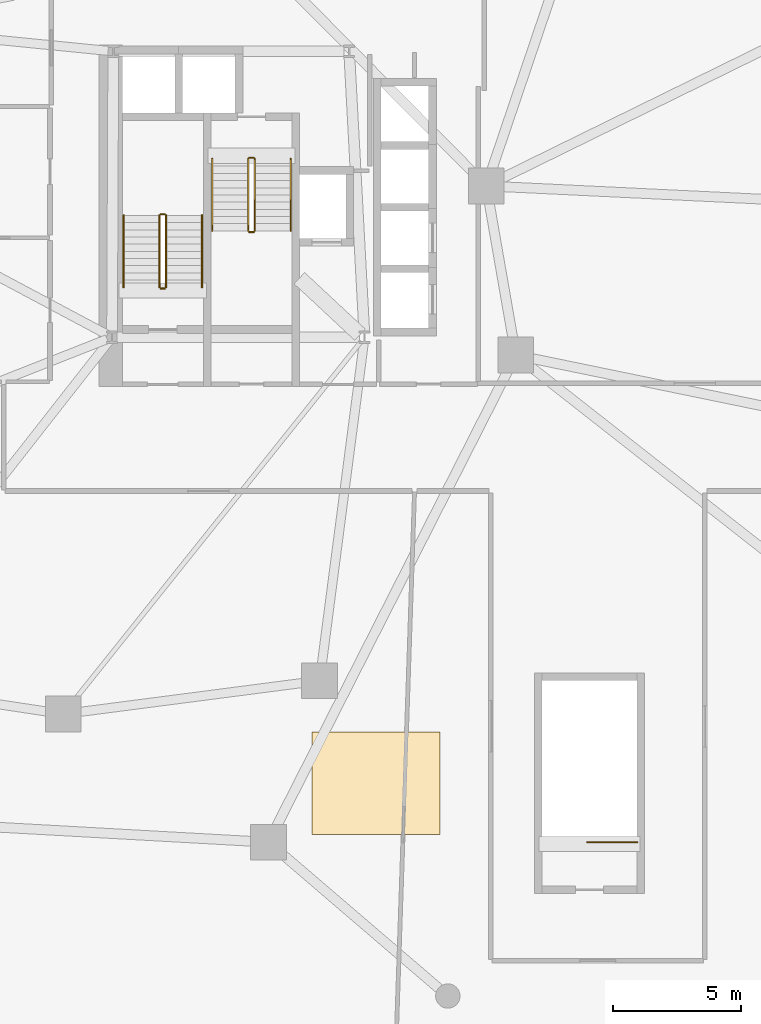
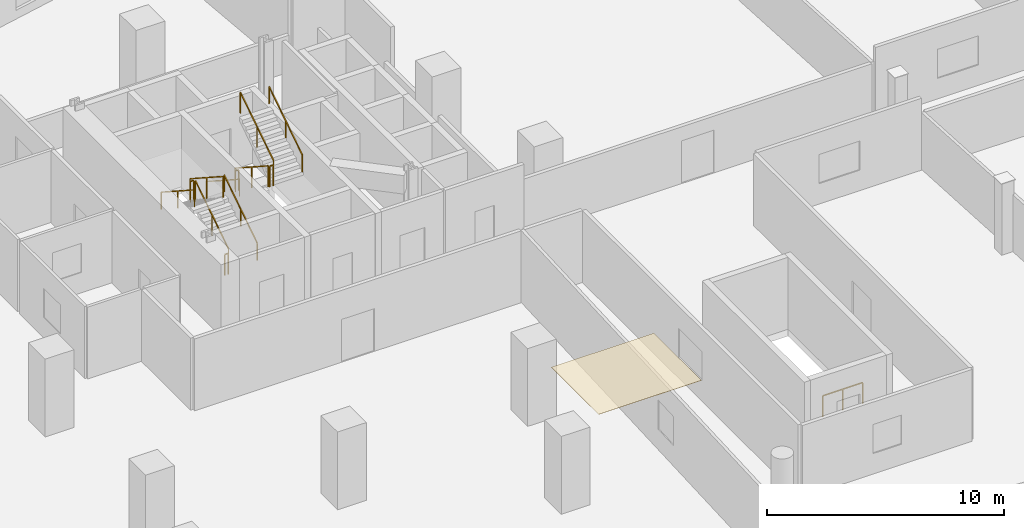
# One storey, part 17 of 18: 13 railings, 1 covering.
"""IFC4 building model written with IfcOpenShell, lengths in metres."""

from ifc_helpers import new_model, si_unit, direction, frame, origin, origin_2d, place, context, subcontext, project, spatial, polyline, rectangle, outline, extrude, material, layer, layer_set, type_object, element, save


model = new_model("IFC4")

# Units and contexts
model_context = context("Model", 3, precision=1e-05, world=origin(), true_north=direction((0.0, 1.0)))
body_context = subcontext(model_context, "Body", "Model", "MODEL_VIEW")
ifc_project = project(units=[si_unit("LENGTHUNIT", "METRE"), si_unit("AREAUNIT", "SQUARE_METRE"), si_unit("VOLUMEUNIT", "CUBIC_METRE"), si_unit("PLANEANGLEUNIT", "RADIAN"), si_unit("MASSUNIT", "GRAM", prefix="KILO"), si_unit("THERMODYNAMICTEMPERATUREUNIT", "KELVIN"), si_unit("POWERUNIT", "WATT")], contexts=[model_context])

# Site, building, storey
site_placement = place(None, origin())
site = spatial("IfcSite", under=ifc_project, at=site_placement, CompositionType="ELEMENT")
building_placement = place(site_placement, origin())
building = spatial("IfcBuilding", under=site, at=building_placement, Name="Cundina Bronze Exchange", CompositionType="ELEMENT")
storey_placement = place(building_placement, frame((0.0, 0.0, 20.0)))
storey = spatial("IfcBuildingStorey", under=building, at=storey_placement, Name="L04", CompositionType="ELEMENT", Elevation=20.0)

# Covering
ifc_material_1 = material(Name="Mineral Acoustic Ceiling Tile 18mm")
ifc_layer = layer(ifc_material_1, 0.01806640625, Name="Mineral Acoustic Ceiling Tile 18mm")
ifc_layer_set = layer_set([ifc_layer], Name="Mineral Acoustic Ceiling Tile 18mm")
covering_type = type_object("IfcCoveringType", Name="COV-CLG-AC18", PredefinedType="CEILING", material=ifc_layer_set)
covering_placement = place(storey_placement, frame((0.0, 0.0, 3.681884765625)))
element("IfcCovering", 1, at=covering_placement, inside=storey, type_object=covering_type, Name="L04 Suspended Mineral Acoustic Ceiling", PredefinedType="CEILING", context=body_context, shape_type="SweptSolid", body=[
    extrude(outline(polyline([(-23.5, -15.5), (-18.5, -15.5), (-18.5, -11.5), (-23.5, -11.5), (-23.5, -15.5)])), origin(), (0.0, 0.0, 1.0), 0.01806640625),
])

# Railings
ifc_material_2 = material(Name="Steel ASTM A36 Painted", Category="steel")
railing_type_1 = type_object("IfcRailingType", Name="RLG-HND-900", PredefinedType="HANDRAIL", material=ifc_material_2)
railing_1_placement = place(storey_placement, frame((-27.7900390625, 5.85009765625, 0.181884765625)))
element("IfcRailing", 2, at=railing_1_placement, inside=storey, type_object=railing_type_1, Name="L04 ST-W1 stair handrail 1", PredefinedType="HANDRAIL", context=body_context, shape_type="SweptSolid", body=[
    extrude(rectangle(XDim=0.048095703125, YDim=0.048095703125, at=origin_2d()), frame((0.0, 0.0, 0.8759765625), z_axis=(0.0, 0.83868413941, 0.544618136222), x_axis=(-1.0, 0.0, 0.0)), (0.0, 0.0, 1.0), 3.33837890625),
    extrude(rectangle(XDim=0.0419921875, YDim=0.0419921875, at=origin_2d()), origin(), (0.0, 0.0, 1.0), 0.851806640625),
    extrude(rectangle(XDim=0.0419921875, YDim=0.0419921875, at=origin_2d()), frame((0.0, 1.39990234375, 0.9091796875)), (0.0, 0.0, 1.0), 0.851806640625),
    extrude(rectangle(XDim=0.0419921875, YDim=0.0419921875, at=origin_2d()), frame((0.0, 2.7998046875, 1.818115234375)), (0.0, 0.0, 1.0), 0.851806640625),
])
railing_2_placement = place(storey_placement, frame((-30.85009765625, 8.64990234375, 2.181884765625)))
element("IfcRailing", 3, at=railing_2_placement, inside=storey, type_object=railing_type_1, Name="L04 ST-W1 stair handrail 2", PredefinedType="HANDRAIL", context=body_context, shape_type="SweptSolid", body=[
    extrude(rectangle(XDim=0.048095703125, YDim=0.048095703125, at=origin_2d()), frame((0.0, 0.0, 0.8759765625), z_axis=(0.0, -0.83868413941, 0.544618136222), x_axis=(1.0, 0.0, 0.0)), (0.0, 0.0, 1.0), 3.33837890625),
    extrude(rectangle(XDim=0.0419921875, YDim=0.0419921875, at=origin_2d()), origin(), (0.0, 0.0, 1.0), 0.851806640625),
    extrude(rectangle(XDim=0.0419921875, YDim=0.0419921875, at=origin_2d()), frame((0.0, -1.39990234375, 0.9091796875)), (0.0, 0.0, 1.0), 0.851806640625),
    extrude(rectangle(XDim=0.0419921875, YDim=0.0419921875, at=origin_2d()), frame((0.0, -2.7998046875, 1.818115234375)), (0.0, 0.0, 1.0), 0.851806640625),
])
railing_3_placement = place(storey_placement, frame((-27.389892578125, 10.85009765625, 0.181884765625)))
element("IfcRailing", 4, at=railing_3_placement, inside=storey, type_object=railing_type_1, Name="L04 ST-W2 stair handrail 1", PredefinedType="HANDRAIL", context=body_context, shape_type="SweptSolid", body=[
    extrude(rectangle(XDim=0.048095703125, YDim=0.048095703125, at=origin_2d()), frame((0.0, 0.0, 0.8759765625), z_axis=(0.0, -0.838705829183, 0.544584733623), x_axis=(1.0, 0.0, 0.0)), (0.0, 0.0, 1.0), 3.338623046875),
    extrude(rectangle(XDim=0.0419921875, YDim=0.0419921875, at=origin_2d()), origin(), (0.0, 0.0, 1.0), 0.851806640625),
    extrude(rectangle(XDim=0.0419921875, YDim=0.0419921875, at=origin_2d()), frame((0.0, -1.39990234375, 0.9091796875)), (0.0, 0.0, 1.0), 0.851806640625),
    extrude(rectangle(XDim=0.0419921875, YDim=0.0419921875, at=origin_2d()), frame((0.0, -2.800048828125, 1.818115234375)), (0.0, 0.0, 1.0), 0.851806640625),
])
railing_4_placement = place(storey_placement, frame((-24.330078125, 8.050048828125, 2.181884765625)))
element("IfcRailing", 5, at=railing_4_placement, inside=storey, type_object=railing_type_1, Name="L04 ST-W2 stair handrail 2", PredefinedType="HANDRAIL", context=body_context, shape_type="SweptSolid", body=[
    extrude(rectangle(XDim=0.048095703125, YDim=0.048095703125, at=origin_2d()), frame((0.0, 0.0, 0.8759765625), z_axis=(0.0, 0.838705829183, 0.544584733623), x_axis=(-1.0, 0.0, 0.0)), (0.0, 0.0, 1.0), 3.338623046875),
    extrude(rectangle(XDim=0.0419921875, YDim=0.0419921875, at=origin_2d()), origin(), (0.0, 0.0, 1.0), 0.851806640625),
    extrude(rectangle(XDim=0.0419921875, YDim=0.0419921875, at=origin_2d()), frame((0.0, 1.39990234375, 0.9091796875)), (0.0, 0.0, 1.0), 0.851806640625),
    extrude(rectangle(XDim=0.0419921875, YDim=0.0419921875, at=origin_2d()), frame((0.0, 2.800048828125, 1.818115234375)), (0.0, 0.0, 1.0), 0.851806640625),
])
railing_type_2 = type_object("IfcRailingType", Name="RLG-STG-1100", PredefinedType="GUARDRAIL", material=ifc_material_2)
railing_5_placement = place(storey_placement, frame((-29.18994140625, 5.85009765625, 0.181884765625)))
element("IfcRailing", 6, at=railing_5_placement, inside=storey, type_object=railing_type_2, Name="L04 ST-W1 stair guard 1", PredefinedType="GUARDRAIL", context=body_context, shape_type="SweptSolid", body=[
    extrude(rectangle(XDim=0.048095703125, YDim=0.048095703125, at=origin_2d()), frame((0.0, 0.0, 1.076171875), z_axis=(0.0, 0.83868413941, 0.544618136222), x_axis=(-1.0, 0.0, 0.0)), (0.0, 0.0, 1.0), 3.33837890625),
    extrude(rectangle(XDim=0.0419921875, YDim=0.0419921875, at=origin_2d()), origin(), (0.0, 0.0, 1.0), 1.052001953125),
    extrude(rectangle(XDim=0.0419921875, YDim=0.0419921875, at=origin_2d()), frame((0.0, 1.39990234375, 0.9091796875)), (0.0, 0.0, 1.0), 1.052001953125),
    extrude(rectangle(XDim=0.0419921875, YDim=0.0419921875, at=origin_2d()), frame((0.0, 2.7998046875, 1.818115234375)), (0.0, 0.0, 1.0), 1.052001953125),
])
railing_6_placement = place(storey_placement, frame((-29.239990234375, 8.699951171875, 2.0)))
element("IfcRailing", 7, at=railing_6_placement, inside=storey, type_object=railing_type_2, Name="L04 ST-W1 stair guard 2", PredefinedType="GUARDRAIL", context=body_context, shape_type="SweptSolid", body=[
    extrude(rectangle(XDim=0.048095703125, YDim=0.048095703125, at=origin_2d()), frame((0.0, 0.0, 1.076171875), z_axis=(-1.0, 0.0, 0.0), x_axis=(0.0, -1.0, 0.0)), (0.0, 0.0, 1.0), 0.159912109375),
    extrude(rectangle(XDim=0.0419921875, YDim=0.0419921875, at=origin_2d()), origin(), (0.0, 0.0, 1.0), 1.052001953125),
    extrude(rectangle(XDim=0.0419921875, YDim=0.0419921875, at=origin_2d()), frame((-0.159912109375, 0.0, 0.0)), (0.0, 0.0, 1.0), 1.052001953125),
])
railing_7_placement = place(storey_placement, frame((-29.449951171875, 8.64990234375, 2.181884765625)))
element("IfcRailing", 8, at=railing_7_placement, inside=storey, type_object=railing_type_2, Name="L04 ST-W1 stair guard 3", PredefinedType="GUARDRAIL", context=body_context, shape_type="SweptSolid", body=[
    extrude(rectangle(XDim=0.048095703125, YDim=0.048095703125, at=origin_2d()), frame((0.0, 0.0, 1.076171875), z_axis=(0.0, -0.83868413941, 0.544618136222), x_axis=(1.0, 0.0, 0.0)), (0.0, 0.0, 1.0), 3.33837890625),
    extrude(rectangle(XDim=0.0419921875, YDim=0.0419921875, at=origin_2d()), origin(), (0.0, 0.0, 1.0), 1.052001953125),
    extrude(rectangle(XDim=0.0419921875, YDim=0.0419921875, at=origin_2d()), frame((0.0, -1.39990234375, 0.9091796875)), (0.0, 0.0, 1.0), 1.052001953125),
    extrude(rectangle(XDim=0.0419921875, YDim=0.0419921875, at=origin_2d()), frame((0.0, -2.7998046875, 1.818115234375)), (0.0, 0.0, 1.0), 1.052001953125),
])
railing_8_placement = place(storey_placement, frame((-29.239990234375, 5.800048828125, 0.0)))
element("IfcRailing", 9, at=railing_8_placement, inside=storey, type_object=railing_type_2, Name="L04 ST-W1 stair guard 4", PredefinedType="GUARDRAIL", context=body_context, shape_type="SweptSolid", body=[
    extrude(rectangle(XDim=0.048095703125, YDim=0.048095703125, at=origin_2d()), frame((0.0, 0.0, 1.076171875), z_axis=(-1.0, 0.0, 0.0), x_axis=(0.0, -1.0, 0.0)), (0.0, 0.0, 1.0), 0.159912109375),
    extrude(rectangle(XDim=0.0419921875, YDim=0.0419921875, at=origin_2d()), origin(), (0.0, 0.0, 1.0), 1.052001953125),
    extrude(rectangle(XDim=0.0419921875, YDim=0.0419921875, at=origin_2d()), frame((-0.159912109375, 0.0, 0.0)), (0.0, 0.0, 1.0), 1.052001953125),
])
railing_9_placement = place(storey_placement, frame((-25.989990234375, 10.85009765625, 0.181884765625)))
element("IfcRailing", 10, at=railing_9_placement, inside=storey, type_object=railing_type_2, Name="L04 ST-W2 stair guard 1", PredefinedType="GUARDRAIL", context=body_context, shape_type="SweptSolid", body=[
    extrude(rectangle(XDim=0.048095703125, YDim=0.048095703125, at=origin_2d()), frame((0.0, 0.0, 1.076171875), z_axis=(0.0, -0.838705829183, 0.544584733623), x_axis=(1.0, 0.0, 0.0)), (0.0, 0.0, 1.0), 3.338623046875),
    extrude(rectangle(XDim=0.0419921875, YDim=0.0419921875, at=origin_2d()), origin(), (0.0, 0.0, 1.0), 1.052001953125),
    extrude(rectangle(XDim=0.0419921875, YDim=0.0419921875, at=origin_2d()), frame((0.0, -1.39990234375, 0.9091796875)), (0.0, 0.0, 1.0), 1.052001953125),
    extrude(rectangle(XDim=0.0419921875, YDim=0.0419921875, at=origin_2d()), frame((0.0, -2.800048828125, 1.818115234375)), (0.0, 0.0, 1.0), 1.052001953125),
])
railing_10_placement = place(storey_placement, frame((-25.93994140625, 8.0, 2.0)))
element("IfcRailing", 11, at=railing_10_placement, inside=storey, type_object=railing_type_2, Name="L04 ST-W2 stair guard 2", PredefinedType="GUARDRAIL", context=body_context, shape_type="SweptSolid", body=[
    extrude(rectangle(XDim=0.048095703125, YDim=0.048095703125, at=origin_2d()), frame((0.0, 0.0, 1.076171875), z_axis=(1.0, 0.0, 0.0), x_axis=(0.0, 1.0, 0.0)), (0.0, 0.0, 1.0), 0.159912109375),
    extrude(rectangle(XDim=0.0419921875, YDim=0.0419921875, at=origin_2d()), origin(), (0.0, 0.0, 1.0), 1.052001953125),
    extrude(rectangle(XDim=0.0419921875, YDim=0.0419921875, at=origin_2d()), frame((0.159912109375, 0.0, 0.0)), (0.0, 0.0, 1.0), 1.052001953125),
])
railing_11_placement = place(storey_placement, frame((-25.72998046875, 8.050048828125, 2.181884765625)))
element("IfcRailing", 12, at=railing_11_placement, inside=storey, type_object=railing_type_2, Name="L04 ST-W2 stair guard 3", PredefinedType="GUARDRAIL", context=body_context, shape_type="SweptSolid", body=[
    extrude(rectangle(XDim=0.048095703125, YDim=0.048095703125, at=origin_2d()), frame((0.0, 0.0, 1.076171875), z_axis=(0.0, 0.838705829183, 0.544584733623), x_axis=(-1.0, 0.0, 0.0)), (0.0, 0.0, 1.0), 3.338623046875),
    extrude(rectangle(XDim=0.0419921875, YDim=0.0419921875, at=origin_2d()), origin(), (0.0, 0.0, 1.0), 1.052001953125),
    extrude(rectangle(XDim=0.0419921875, YDim=0.0419921875, at=origin_2d()), frame((0.0, 1.39990234375, 0.9091796875)), (0.0, 0.0, 1.0), 1.052001953125),
    extrude(rectangle(XDim=0.0419921875, YDim=0.0419921875, at=origin_2d()), frame((0.0, 2.800048828125, 1.818115234375)), (0.0, 0.0, 1.0), 1.052001953125),
])
railing_12_placement = place(storey_placement, frame((-25.93994140625, 10.89990234375, 0.0)))
element("IfcRailing", 13, at=railing_12_placement, inside=storey, type_object=railing_type_2, Name="L04 ST-W2 stair guard 4", PredefinedType="GUARDRAIL", context=body_context, shape_type="SweptSolid", body=[
    extrude(rectangle(XDim=0.048095703125, YDim=0.048095703125, at=origin_2d()), frame((0.0, 0.0, 1.076171875), z_axis=(1.0, 0.0, 0.0), x_axis=(0.0, 1.0, 0.0)), (0.0, 0.0, 1.0), 0.159912109375),
    extrude(rectangle(XDim=0.0419921875, YDim=0.0419921875, at=origin_2d()), origin(), (0.0, 0.0, 1.0), 1.052001953125),
    extrude(rectangle(XDim=0.0419921875, YDim=0.0419921875, at=origin_2d()), frame((0.159912109375, 0.0, 0.0)), (0.0, 0.0, 1.0), 1.052001953125),
])
railing_13_placement = place(storey_placement, frame((-10.820068359375, -15.800048828125, 0.0)))
element("IfcRailing", 14, at=railing_13_placement, inside=storey, type_object=railing_type_2, Name="L04 ST-PW top well guard 1", PredefinedType="GUARDRAIL", context=body_context, shape_type="SweptSolid", body=[
    extrude(rectangle(XDim=0.048095703125, YDim=0.048095703125, at=origin_2d()), frame((0.0, 0.0, 1.076171875), z_axis=(-1.0, 0.0, 0.0), x_axis=(0.0, -1.0, 0.0)), (0.0, 0.0, 1.0), 1.949951171875),
    extrude(rectangle(XDim=0.0419921875, YDim=0.0419921875, at=origin_2d()), origin(), (0.0, 0.0, 1.0), 1.052001953125),
    extrude(rectangle(XDim=0.0419921875, YDim=0.0419921875, at=origin_2d()), frame((-0.97509765625, 0.0, 0.0)), (0.0, 0.0, 1.0), 1.052001953125),
    extrude(rectangle(XDim=0.0419921875, YDim=0.0419921875, at=origin_2d()), frame((-1.949951171875, 0.0, 0.0)), (0.0, 0.0, 1.0), 1.052001953125),
])

save(model, "model.ifc")
